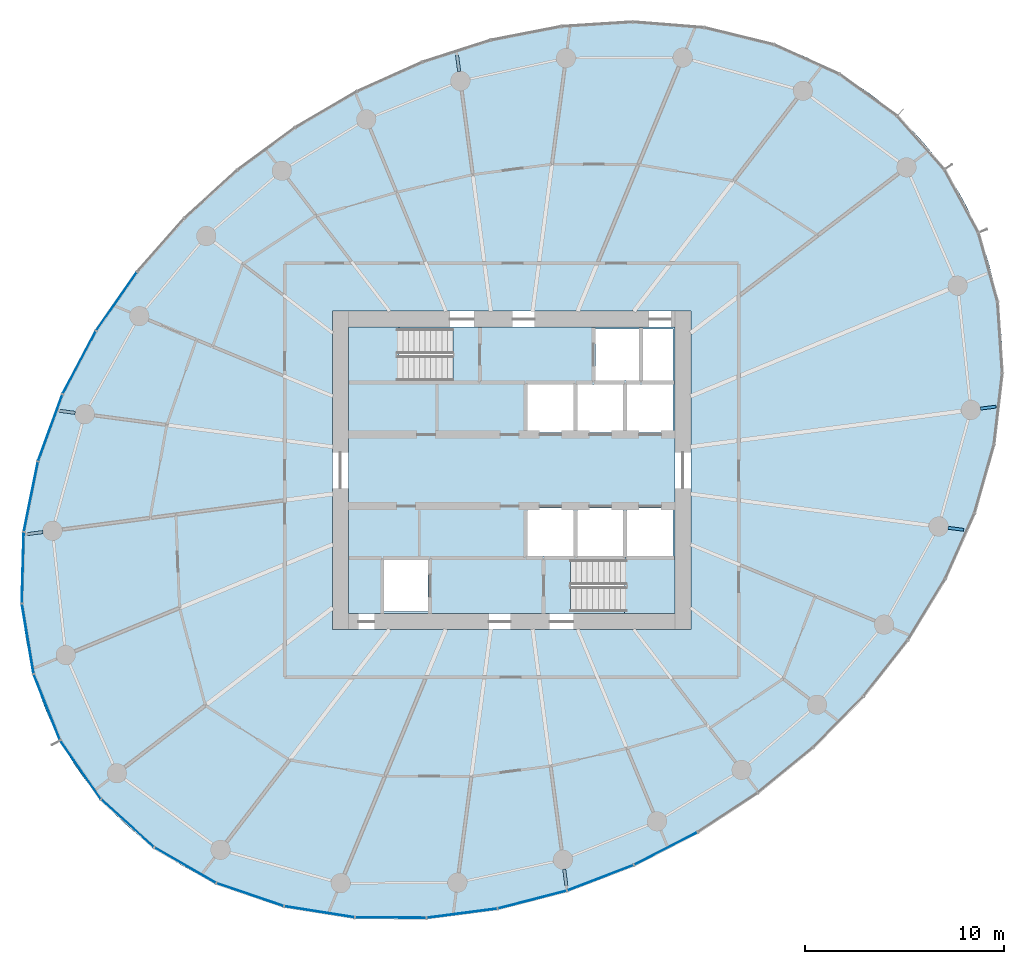
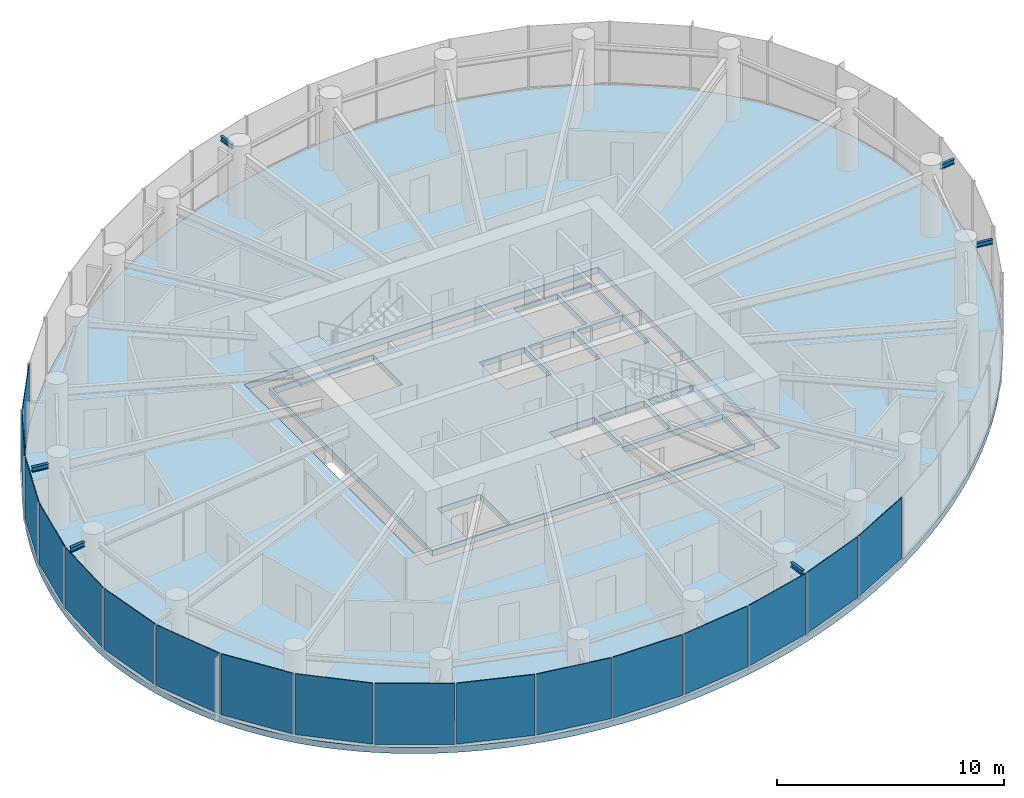
# One storey, part 7 of 15: 17 plates, 6 beams, 4 slabs, 5 elements without a shape of their own.
"""IFC4 building model written with IfcOpenShell, lengths in metres."""

from ifc_helpers import new_model, si_unit, direction, frame, origin, origin_2d, place, context, subcontext, project, spatial, line, indexed_curve, rectangle, i_section, outline, extrude, source, transform, mapped, material, layer, layer_set, material_profile, profile_set, type_object, element, aggregate, save


model = new_model("IFC4")

# Units and contexts
model_context = context("Model", 3, precision=1e-05, world=origin(), true_north=direction((0.0, 1.0)))
body_context = subcontext(model_context, "Body", "Model", "MODEL_VIEW")
ifc_project = project(units=[si_unit("LENGTHUNIT", "METRE"), si_unit("AREAUNIT", "SQUARE_METRE"), si_unit("VOLUMEUNIT", "CUBIC_METRE"), si_unit("PLANEANGLEUNIT", "RADIAN"), si_unit("MASSUNIT", "GRAM", prefix="KILO")], contexts=[model_context])

# Site, building, storey
site_placement = place(None, origin())
site = spatial("IfcSite", under=ifc_project, at=site_placement, CompositionType="ELEMENT")
building_placement = place(site_placement, origin())
building = spatial("IfcBuilding", under=site, at=building_placement, Name="Spindrift Exchange Tower", CompositionType="ELEMENT")
storey_placement = place(building_placement, frame((0.0, 0.0, 176.0)))
storey = spatial("IfcBuildingStorey", under=building, at=storey_placement, Name="L42", CompositionType="ELEMENT", Elevation=176.0)

# Beams
ifc_material_1 = material(Name="Steel Grade 300", Category="steel")
ifc_material_profile = material_profile(ifc_material_1, i_section(OverallWidth=0.14599609375, OverallDepth=0.251953125, WebThickness=0.006103515625, FlangeThickness=0.008544921875, FilletRadius=0.011962890625, at=origin_2d()), Name="250UB31.4")
ifc_profile_set = profile_set([ifc_material_profile], Name="Steel Grade 300")
beam_type = type_object("IfcBeamType", Name="Cantilever Beam 250UB31.4 Steel Grade 300", PredefinedType="BEAM", material=ifc_profile_set)
shared_shape_1 = source(origin(), body_context, "Body", "SweptSolid", [
    extrude(i_section(OverallWidth=0.14599609375, OverallDepth=0.251953125, WebThickness=0.006103515625, FlangeThickness=0.008544921875, FilletRadius=0.011962890625, at=origin_2d()), origin(), (0.0, 0.0, 1.0), 0.78466796875),
])
for number, where, z_axis, x_axis, name in (
    (1, (75.537841796875, 51.098876953125, 3.27392578125), (0.991468055404, 0.130349894953, 0.0), (-0.130349894953, 0.991468055404, 0.0), "L42 cantilever beam R01T"),
    (2, (28.462158203125, 44.901123046875, 3.27392578125), (-0.991468055404, -0.130349894953, 0.0), (0.130349894953, -0.991468055404, 0.0), "L42 cantilever beam R13T"),
):
    element("IfcBeam", number, at=place(storey_placement, frame(where, z_axis=z_axis, x_axis=x_axis)), inside=storey, type_object=beam_type, Name=name, PredefinedType="BEAM", context=body_context, shape_type="MappedRepresentation", body=[
        mapped(shared_shape_1, transform((0.0, 0.0, 0.0), scale=1.0)),
    ])
shared_shape_2 = source(origin(), body_context, "Body", "SweptSolid", [
    extrude(i_section(OverallWidth=0.14599609375, OverallDepth=0.251953125, WebThickness=0.006103515625, FlangeThickness=0.008544921875, FilletRadius=0.011962890625, at=origin_2d()), origin(), (0.0, 0.0, 1.0), 0.84228515625),
])
for number, where, z_axis, x_axis, name in (
    (3, (49.36328125, 68.027099609375, 3.27392578125), (-0.130417027817, 0.991459227026, 0.0), (-0.991459227026, -0.130417027817, 0.0), "L42 cantilever beam R07T"),
    (4, (54.63671875, 27.972900390625, 3.27392578125), (0.130417027817, -0.991459227026, 0.0), (0.991459227026, 0.130417027817, 0.0), "L42 cantilever beam R19T"),
):
    element("IfcBeam", number, at=place(storey_placement, frame(where, z_axis=z_axis, x_axis=x_axis)), inside=storey, type_object=beam_type, Name=name, PredefinedType="BEAM", context=body_context, shape_type="MappedRepresentation", body=[
        mapped(shared_shape_2, transform((0.0, 0.0, 0.0), scale=1.0)),
    ])
shared_shape_3 = source(origin(), body_context, "Body", "SweptSolid", [
    extrude(i_section(OverallWidth=0.14599609375, OverallDepth=0.251953125, WebThickness=0.006103515625, FlangeThickness=0.008544921875, FilletRadius=0.011962890625, at=origin_2d()), origin(), (0.0, 0.0, 1.0), 0.7890625),
])
for number, where, z_axis, x_axis, name in (
    (5, (30.0830078125, 50.885498046875, 3.27392578125), (-0.99147745178, 0.130278404244, 0.0), (-0.130278404244, -0.99147745178, 0.0), "L42 cantilever beam R12T"),
    (6, (73.9169921875, 45.114501953125, 3.27392578125), (0.99147745178, -0.130278404244, 0.0), (0.130278404244, 0.99147745178, 0.0), "L42 cantilever beam R24T"),
):
    element("IfcBeam", number, at=place(storey_placement, frame(where, z_axis=z_axis, x_axis=x_axis)), inside=storey, type_object=beam_type, Name=name, PredefinedType="BEAM", context=body_context, shape_type="MappedRepresentation", body=[
        mapped(shared_shape_3, transform((0.0, 0.0, 0.0), scale=1.0)),
    ])

# Slabs
ifc_material_2 = material(Name="Concrete 40 MPa", Category="concrete")
ifc_layer_1 = layer(ifc_material_2, 0.320068359375)
ifc_layer_set_1 = layer_set([ifc_layer_1], Name="RC Floor Slab 320 Concrete 40 MPa")
slab_type_1 = type_object("IfcSlabType", Name="RC Floor Slab 320 Concrete 40 MPa", PredefinedType="FLOOR", material=ifc_layer_set_1)
slab_1_placement = place(storey_placement, frame((0.0, 0.0, -0.320068359375)))
element("IfcSlab", 7, at=slab_1_placement, inside=storey, type_object=slab_type_1, Name="Floor slab L42", PredefinedType="FLOOR", context=body_context, shape_type="SweptSolid", body=[
    extrude(outline(indexed_curve([(73.730224609375, 63.10009765625), (73.49169921875, 63.433837890625), (73.244384765625, 63.76123046875), (72.989013671875, 64.08203125), (72.724853515625, 64.396240234375), (72.452880859375, 64.703369140625), (72.173095703125, 65.00341796875), (71.885498046875, 65.2958984375), (71.590576171875, 65.581298828125), (71.288330078125, 65.858642578125), (70.979248046875, 66.12841796875), (70.66357421875, 66.390380859375), (70.34130859375, 66.644287109375), (70.0126953125, 66.890380859375), (69.33837890625, 67.35791015625), (68.642578125, 67.79248046875), (67.927001953125, 68.19384765625), (67.5625, 68.382080078125), (66.821044921875, 68.733642578125), (66.444580078125, 68.89697265625), (65.681884765625, 69.19921875), (64.906982421875, 69.468994140625), (64.515380859375, 69.591796875), (63.725341796875, 69.8134765625), (62.92724609375, 70.00390625), (62.525634765625, 70.087646484375), (61.718017578125, 70.232421875), (61.312255859375, 70.29345703125), (60.497802734375, 70.393798828125), (60.089599609375, 70.433349609375), (59.27099609375, 70.490966796875), (58.861083984375, 70.50927734375), (58.040771484375, 70.52587890625), (57.630615234375, 70.52392578125), (56.810302734375, 70.500732421875), (56.400390625, 70.4794921875), (55.582275390625, 70.418212890625), (55.173828125, 70.378173828125), (54.359130859375, 70.280029296875), (53.5478515625, 70.158203125), (53.143310546875, 70.088623046875), (52.739990234375, 70.013427734375), (51.936767578125, 69.845947265625), (51.138427734375, 69.656494140625), (50.7412109375, 69.5537109375), (50.345458984375, 69.445556640625), (49.558349609375, 69.213623046875), (49.167236328125, 69.08984375), (48.389892578125, 68.827392578125), (47.619384765625, 68.544921875), (47.23681640625, 68.396484375), (46.856201171875, 68.243408203125), (46.10107421875, 67.922607421875), (45.35400390625, 67.583251953125), (44.9833984375, 67.406494140625), (44.615234375, 67.2255859375), (43.8857421875, 66.85009765625), (42.808837890625, 66.25390625), (42.103271484375, 65.835205078125), (41.40771484375, 65.399658203125), (40.384521484375, 64.715576171875), (39.38671875, 63.9951171875), (38.73583984375, 63.495361328125), (38.097412109375, 62.97998046875), (37.1630859375, 62.1787109375), (36.8583984375, 61.904052734375), (36.2587890625, 61.343994140625), (35.673095703125, 60.769287109375), (35.385498046875, 60.4765625), (35.1015625, 60.180419921875), (34.545166015625, 59.577392578125), (34.00390625, 58.96044921875), (33.7392578125, 58.64697265625), (33.22216796875, 58.010009765625), (32.9697265625, 57.686279296875), (32.7216796875, 57.359619140625), (32.238525390625, 56.6962890625), (32.003662109375, 56.360107421875), (31.547607421875, 55.677734375), (31.110595703125, 54.9833984375), (30.8994140625, 54.631591796875), (30.491943359375, 53.919189453125), (30.2958984375, 53.558837890625), (29.919921875, 52.82958984375), (29.739990234375, 52.460693359375), (29.397216796875, 51.71533203125), (29.234375, 51.338623046875), (28.926513671875, 50.578125), (28.78173828125, 50.194091796875), (28.643310546875, 49.80810546875), (28.385498046875, 49.029052734375), (28.266357421875, 48.636474609375), (28.048583984375, 47.84521484375), (27.8583984375, 47.047119140625), (27.7744140625, 46.6455078125), (27.62841796875, 45.838134765625), (27.566650390625, 45.432373046875), (27.466796875, 44.617919921875), (27.428955078125, 44.20947265625), (27.377685546875, 43.390380859375), (27.360107421875, 42.5703125), (27.37744140625, 41.75), (27.3994140625, 41.340087890625), (27.470458984375, 40.522705078125), (27.51953125, 40.115478515625), (27.646240234375, 39.3046875), (27.810791015625, 38.5009765625), (28.013671875, 37.705810546875), (28.129638671875, 37.3125), (28.25537109375, 36.921875), (28.390625, 36.534423828125), (28.535888671875, 36.150634765625), (28.690673828125, 35.770751953125), (28.85498046875, 35.394775390625), (29.029052734375, 35.023193359375), (29.21240234375, 34.65625), (29.405517578125, 34.294189453125), (29.60791015625, 33.9375), (29.8193359375, 33.5859375), (30.0400390625, 33.239990234375), (30.269775390625, 32.89990234375), (30.50830078125, 32.566162109375), (30.755615234375, 32.23876953125), (31.010986328125, 31.91796875), (31.275146484375, 31.603759765625), (31.547119140625, 31.296630859375), (31.826904296875, 30.99658203125), (32.114501953125, 30.7041015625), (32.409423828125, 30.418701171875), (32.711669921875, 30.141357421875), (33.020751953125, 29.87158203125), (33.33642578125, 29.609619140625), (33.65869140625, 29.355712890625), (33.9873046875, 29.109619140625), (34.66162109375, 28.64208984375), (35.357421875, 28.20751953125), (36.072998046875, 27.80615234375), (36.4375, 27.617919921875), (37.178955078125, 27.266357421875), (37.555419921875, 27.10302734375), (38.318115234375, 26.80078125), (39.093017578125, 26.531005859375), (39.484619140625, 26.408203125), (40.274658203125, 26.1865234375), (41.07275390625, 25.99609375), (41.474365234375, 25.912353515625), (42.281982421875, 25.767578125), (42.687744140625, 25.70654296875), (43.502197265625, 25.606201171875), (43.910400390625, 25.566650390625), (44.72900390625, 25.509033203125), (45.138916015625, 25.49072265625), (45.959228515625, 25.47412109375), (46.369384765625, 25.47607421875), (47.189697265625, 25.499267578125), (47.599609375, 25.5205078125), (48.417724609375, 25.581787109375), (48.826171875, 25.621826171875), (49.640869140625, 25.719970703125), (50.4521484375, 25.841796875), (50.856689453125, 25.911376953125), (51.260009765625, 25.986572265625), (52.063232421875, 26.154052734375), (52.861572265625, 26.343505859375), (53.2587890625, 26.4462890625), (53.654541015625, 26.554443359375), (54.441650390625, 26.786376953125), (54.832763671875, 26.91015625), (55.610107421875, 27.172607421875), (56.380615234375, 27.455078125), (56.76318359375, 27.603515625), (57.143798828125, 27.756591796875), (57.89892578125, 28.077392578125), (58.64599609375, 28.416748046875), (59.0166015625, 28.593505859375), (59.384765625, 28.7744140625), (60.1142578125, 29.14990234375), (61.191162109375, 29.74609375), (61.896728515625, 30.164794921875), (62.59228515625, 30.600341796875), (63.615478515625, 31.284423828125), (64.61328125, 32.0048828125), (65.26416015625, 32.504638671875), (65.902587890625, 33.02001953125), (66.8369140625, 33.8212890625), (67.1416015625, 34.095947265625), (67.7412109375, 34.656005859375), (68.326904296875, 35.230712890625), (68.614501953125, 35.5234375), (68.8984375, 35.819580078125), (69.454833984375, 36.422607421875), (69.99609375, 37.03955078125), (70.2607421875, 37.35302734375), (70.77783203125, 37.989990234375), (71.0302734375, 38.313720703125), (71.2783203125, 38.640380859375), (71.761474609375, 39.3037109375), (71.996337890625, 39.639892578125), (72.452392578125, 40.322265625), (72.889404296875, 41.0166015625), (73.1005859375, 41.368408203125), (73.508056640625, 42.080810546875), (73.7041015625, 42.441162109375), (74.080078125, 43.17041015625), (74.260009765625, 43.539306640625), (74.602783203125, 44.28466796875), (74.765625, 44.661376953125), (75.073486328125, 45.421875), (75.21826171875, 45.805908203125), (75.356689453125, 46.19189453125), (75.614501953125, 46.970947265625), (75.733642578125, 47.363525390625), (75.951416015625, 48.15478515625), (76.1416015625, 48.952880859375), (76.2255859375, 49.3544921875), (76.37158203125, 50.161865234375), (76.433349609375, 50.567626953125), (76.533203125, 51.382080078125), (76.571044921875, 51.79052734375), (76.622314453125, 52.609619140625), (76.639892578125, 53.4296875), (76.62255859375, 54.25), (76.6005859375, 54.659912109375), (76.529541015625, 55.477294921875), (76.48046875, 55.884521484375), (76.353759765625, 56.6953125), (76.189208984375, 57.4990234375), (75.986328125, 58.294189453125), (75.870361328125, 58.6875), (75.74462890625, 59.078125), (75.609375, 59.465576171875), (75.464111328125, 59.849365234375), (75.309326171875, 60.229248046875), (75.14501953125, 60.605224609375), (74.970947265625, 60.976806640625), (74.78759765625, 61.34375), (74.594482421875, 61.705810546875), (74.39208984375, 62.0625), (74.1806640625, 62.4140625), (73.9599609375, 62.760009765625)], segments=[line(1, 2, 3, 4, 5, 6, 7, 8, 9, 10, 11, 12, 13, 14, 15, 16, 17, 18, 19, 20, 21, 22, 23, 24, 25, 26, 27, 28, 29, 30, 31, 32, 33, 34, 35, 36, 37, 38, 39, 40, 41, 42, 43, 44, 45, 46, 47, 48, 49, 50, 51, 52, 53, 54, 55, 56, 57, 58, 59, 60, 61, 62, 63, 64, 65, 66, 67, 68, 69, 70, 71, 72, 73, 74, 75, 76, 77, 78, 79, 80, 81, 82, 83, 84, 85, 86, 87, 88, 89, 90, 91, 92, 93, 94, 95, 96, 97, 98, 99, 100, 101, 102, 103, 104, 105, 106, 107, 108, 109, 110, 111, 112, 113, 114, 115, 116, 117, 118, 119, 120, 121, 122, 123, 124, 125, 126, 127, 128, 129, 130, 131, 132, 133, 134, 135, 136, 137, 138, 139, 140, 141, 142, 143, 144, 145, 146, 147, 148, 149, 150, 151, 152, 153, 154, 155, 156, 157, 158, 159, 160, 161, 162, 163, 164, 165, 166, 167, 168, 169, 170, 171, 172, 173, 174, 175, 176, 177, 178, 179, 180, 181, 182, 183, 184, 185, 186, 187, 188, 189, 190, 191, 192, 193, 194, 195, 196, 197, 198, 199, 200, 201, 202, 203, 204, 205, 206, 207, 208, 209, 210, 211, 212, 213, 214, 215, 216, 217, 218, 219, 220, 221, 222, 223, 224, 225, 226, 227, 228, 229, 230, 231, 232, 233, 234, 235, 236, 237, 238, 239, 240, 1)], self_intersect=False), holes=[indexed_curve([(43.0, 40.0), (61.0, 40.0), (61.0, 56.0), (43.0, 56.0)], segments=[line(1, 2, 3, 4, 1)], self_intersect=False)]), origin(), (0.0, 0.0, 1.0), 0.320068359375),
])
ifc_material_3 = material(Name="Concrete 50 MPa", Category="concrete")
ifc_layer_2 = layer(ifc_material_3, 0.320068359375)
ifc_layer_set_2 = layer_set([ifc_layer_2], Name="SL-CORE-FLOOR-320")
slab_type_2 = type_object("IfcSlabType", Name="SL-CORE-FLOOR-320", PredefinedType="FLOOR", material=ifc_layer_set_2)
slab_2_placement = place(storey_placement, frame((0.0, 0.0, -0.320068359375)))
element("IfcSlab", 8, at=slab_2_placement, inside=storey, type_object=slab_type_2, Name="L42 Core floor slab", PredefinedType="FLOOR", context=body_context, shape_type="SweptSolid", body=[
    extrude(outline(indexed_curve([(43.800048828125, 40.800048828125), (43.800048828125, 55.199951171875), (60.199951171875, 55.199951171875), (60.199951171875, 40.800048828125)], segments=[line(1, 2, 3, 4, 1)], self_intersect=False), holes=[indexed_curve([(45.60009765625, 43.5), (45.60009765625, 40.89990234375), (47.800048828125, 40.89990234375), (47.800048828125, 43.5)], segments=[line(1, 2, 3, 4, 1)], self_intersect=False), indexed_curve([(52.800048828125, 46.10009765625), (52.800048828125, 43.699951171875), (55.10009765625, 43.699951171875), (55.10009765625, 46.10009765625)], segments=[line(1, 2, 3, 4, 1)], self_intersect=False), indexed_curve([(55.300048828125, 46.10009765625), (55.300048828125, 43.699951171875), (57.60009765625, 43.699951171875), (57.60009765625, 46.10009765625)], segments=[line(1, 2, 3, 4, 1)], self_intersect=False), indexed_curve([(55.10009765625, 52.300048828125), (52.800048828125, 52.300048828125), (52.800048828125, 49.89990234375), (55.10009765625, 49.89990234375)], segments=[line(1, 2, 3, 4, 1)], self_intersect=False), indexed_curve([(57.60009765625, 52.300048828125), (55.300048828125, 52.300048828125), (55.300048828125, 49.89990234375), (57.60009765625, 49.89990234375)], segments=[line(1, 2, 3, 4, 1)], self_intersect=False), indexed_curve([(43.906005859375, 52.506103515625), (49.0439453125, 52.506103515625), (49.0439453125, 55.093994140625), (43.906005859375, 55.093994140625)], segments=[line(1, 2, 3, 4, 1)], self_intersect=False), indexed_curve([(60.093994140625, 40.906005859375), (60.093994140625, 43.493896484375), (54.9560546875, 43.493896484375), (54.9560546875, 40.906005859375)], segments=[line(1, 2, 3, 4, 1)], self_intersect=False), indexed_curve([(60.10009765625, 46.10009765625), (57.800048828125, 46.10009765625), (57.800048828125, 43.699951171875), (60.10009765625, 43.699951171875)], segments=[line(1, 2, 3, 4, 1)], self_intersect=False), indexed_curve([(57.800048828125, 52.300048828125), (57.800048828125, 49.89990234375), (60.10009765625, 49.89990234375), (60.10009765625, 52.300048828125)], segments=[line(1, 2, 3, 4, 1)], self_intersect=False), indexed_curve([(58.39990234375, 55.10009765625), (56.199951171875, 55.10009765625), (56.199951171875, 52.5), (58.39990234375, 52.5)], segments=[line(1, 2, 3, 4, 1)], self_intersect=False), indexed_curve([(60.10009765625, 55.10009765625), (58.60009765625, 55.10009765625), (58.60009765625, 52.5), (60.10009765625, 52.5)], segments=[line(1, 2, 3, 4, 1)], self_intersect=False)]), origin(), (0.0, 0.0, 1.0), 0.320068359375),
])

# Stair, slab
stair_type = type_object("IfcStairType", Name="ST-1250-R177", PredefinedType="HALF_TURN_STAIR", material=ifc_material_3)
stair_1_placement = place(storey_placement, origin())
stair_1 = element("IfcStair", 9, at=stair_1_placement, inside=storey, type_object=stair_type, Name="L42 Exit stair ST1", PredefinedType="HALF_TURN_STAIR")
ifc_layer_3 = layer(ifc_material_3, 0.199951171875)
ifc_layer_set_3 = layer_set([ifc_layer_3], Name="SL-LANDING")
slab_type_3 = type_object("IfcSlabType", Name="SL-LANDING", PredefinedType="LANDING", material=ifc_layer_set_3)
slab_3_placement = place(storey_placement, frame((0.0, 0.0, 1.75)))
slab_3 = element("IfcSlab", 10, at=slab_3_placement, type_object=slab_type_3, Name="ST1 landing 1", PredefinedType="LANDING", context=body_context, shape_type="SweptSolid", body=[
    extrude(outline(indexed_curve([(46.330078125, 52.39990234375), (43.800048828125, 52.39990234375), (43.800048828125, 55.199951171875), (46.330078125, 55.199951171875)], segments=[line(1, 2, 3, 4, 1)], self_intersect=False)), origin(), (0.0, 0.0, 1.0), 0.199951171875),
])
aggregate(stair_1, [slab_3])

stair_2_placement = place(storey_placement, origin())
stair_2 = element("IfcStair", 11, at=stair_2_placement, inside=storey, type_object=stair_type, Name="L42 Exit stair ST2", PredefinedType="HALF_TURN_STAIR")
slab_4_placement = place(storey_placement, frame((0.0, 0.0, 1.75)))
slab_4 = element("IfcSlab", 12, at=slab_4_placement, type_object=slab_type_3, Name="ST2 landing 1", PredefinedType="LANDING", context=body_context, shape_type="SweptSolid", body=[
    extrude(outline(indexed_curve([(57.669921875, 43.60009765625), (60.199951171875, 43.60009765625), (60.199951171875, 40.800048828125), (57.669921875, 40.800048828125)], segments=[line(1, 2, 3, 4, 1)], self_intersect=False)), origin(), (0.0, 0.0, 1.0), 0.199951171875),
])
aggregate(stair_2, [slab_4])

# Curtain wall, plates
ifc_material_4 = material(Name="Fritted laminated glass with bronze frame", Category="glass")
ifc_layer_4 = layer(ifc_material_4, 0.179931640625)
ifc_layer_set_4 = layer_set([ifc_layer_4], Name="ZONE 3 BRONZE FRITTED WALL")
curtain_wall_type = type_object("IfcCurtainWallType", Name="ZONE 3 BRONZE FRITTED WALL", PredefinedType="NOTDEFINED", material=ifc_layer_set_4)
curtain_wall_1_placement = place(storey_placement, origin())
curtain_wall_1 = element("IfcCurtainWall", 13, at=curtain_wall_1_placement, inside=storey, type_object=curtain_wall_type, Name="L42 Zone 3 Bronze Fritted Wall run 5", PredefinedType="NOTDEFINED")
ifc_material_5 = material(Name="Bronze fritted laminated glass, open frit", Category="glass")
ifc_layer_5 = layer(ifc_material_5, 0.031982421875)
ifc_layer_set_5 = layer_set([ifc_layer_5], Name="ZONE 3 BRONZE FRITTED WALL PANEL OPEN FRIT 600")
plate_type_1 = type_object("IfcPlateType", Name="ZONE 3 BRONZE FRITTED WALL PANEL OPEN FRIT 600", PredefinedType="CURTAIN_PANEL", material=ifc_layer_set_5)
shared_shape_4 = source(origin(), body_context, "Body", "SweptSolid", [
    extrude(rectangle(XDim=3.530517578125, YDim=0.031982421875, at=origin_2d()), origin(), (0.0, 0.0, 1.0), 3.27001953125),
])
plate_1_placement = place(storey_placement, frame((53.032470703125, 26.44189453125, 0.1298828125), z_axis=(0.0, 0.0, 1.0), x_axis=(0.968298664298, 0.249795309643, 0.0)))
plate_1 = element("IfcPlate", 14, at=plate_1_placement, type_object=plate_type_1, Name="L42 panel CW-3.28", PredefinedType="CURTAIN_PANEL", context=body_context, shape_type="MappedRepresentation", body=[
    mapped(shared_shape_4, transform((0.0, 0.0, 0.0), scale=1.0)),
])
shared_shape_5 = source(origin(), body_context, "Body", "SweptSolid", [
    extrude(rectangle(XDim=3.53076171875, YDim=0.031982421875, at=origin_2d()), origin(), (0.0, 0.0, 1.0), 3.27001953125),
])
plate_2_placement = place(storey_placement, frame((56.456298828125, 27.537353515625, 0.1298828125), z_axis=(0.0, 0.0, 1.0), x_axis=(0.93346967375, 0.358656337166, 0.0)))
plate_2 = element("IfcPlate", 15, at=plate_2_placement, type_object=plate_type_1, Name="L42 panel CW-3.29", PredefinedType="CURTAIN_PANEL", context=body_context, shape_type="MappedRepresentation", body=[
    mapped(shared_shape_5, transform((0.0, 0.0, 0.0), scale=1.0)),
])
plate_3_placement = place(storey_placement, frame((59.737548828125, 29.007080078125, 0.1298828125), z_axis=(0.0, 0.0, 1.0), x_axis=(0.889077069424, 0.457757539123, 0.0)))
plate_3 = element("IfcPlate", 16, at=plate_3_placement, type_object=plate_type_1, Name="L42 panel CW-3.30", PredefinedType="CURTAIN_PANEL", context=body_context, shape_type="MappedRepresentation", body=[
    mapped(shared_shape_5, transform((0.0, 0.0, 0.0), scale=1.0)),
])

curtain_wall_2_placement = place(storey_placement, origin())
curtain_wall_2 = element("IfcCurtainWall", 17, at=curtain_wall_2_placement, inside=storey, type_object=curtain_wall_type, Name="L42 Zone 3 Bronze Fritted Wall run 3", PredefinedType="NOTDEFINED")
ifc_layer_6 = layer(ifc_material_5, 0.031982421875)
ifc_layer_set_6 = layer_set([ifc_layer_6], Name="ZONE 3 BRONZE FRITTED WALL PANEL OPEN FRIT 360")
plate_type_2 = type_object("IfcPlateType", Name="ZONE 3 BRONZE FRITTED WALL PANEL OPEN FRIT 360", PredefinedType="CURTAIN_PANEL", material=ifc_layer_set_6)
shared_shape_6 = source(origin(), body_context, "Body", "SweptSolid", [
    extrude(rectangle(XDim=3.530517578125, YDim=0.031982421875, at=origin_2d()), origin(), (0.0, 0.0, 1.0), 3.27001953125),
])
plate_4_placement = place(storey_placement, frame((32.155517578125, 56.48583984375, 0.1298828125), z_axis=(0.0, 0.0, 1.0), x_axis=(-0.571790823965, -0.820399447604, 0.0)))
plate_4 = element("IfcPlate", 18, at=plate_4_placement, type_object=plate_type_2, Name="L42 panel CW-3.14", PredefinedType="CURTAIN_PANEL", context=body_context, shape_type="MappedRepresentation", body=[
    mapped(shared_shape_6, transform((0.0, 0.0, 0.0), scale=1.0)),
])
shared_shape_7 = source(origin(), body_context, "Body", "SweptSolid", [
    extrude(rectangle(XDim=3.530029296875, YDim=0.031982421875, at=origin_2d()), origin(), (0.0, 0.0, 1.0), 3.27001953125),
])
plate_5_placement = place(storey_placement, frame((30.2861328125, 53.4169921875, 0.1298828125), z_axis=(0.0, 0.0, 1.0), x_axis=(-0.466738609196, -0.884395313582, 0.0)))
plate_5 = element("IfcPlate", 19, at=plate_5_placement, type_object=plate_type_1, Name="L42 panel CW-3.15", PredefinedType="CURTAIN_PANEL", context=body_context, shape_type="MappedRepresentation", body=[
    mapped(shared_shape_7, transform((0.0, 0.0, 0.0), scale=1.0)),
])
shared_shape_8 = source(origin(), body_context, "Body", "SweptSolid", [
    extrude(rectangle(XDim=3.529541015625, YDim=0.031982421875, at=origin_2d()), origin(), (0.0, 0.0, 1.0), 3.27001953125),
])
plate_6_placement = place(storey_placement, frame((28.828369140625, 50.134765625, 0.1298828125), z_axis=(0.0, 0.0, 1.0), x_axis=(-0.343161381521, -0.939276458894, 0.0)))
plate_6 = element("IfcPlate", 20, at=plate_6_placement, type_object=plate_type_1, Name="L42 panel CW-3.16", PredefinedType="CURTAIN_PANEL", context=body_context, shape_type="MappedRepresentation", body=[
    mapped(shared_shape_8, transform((0.0, 0.0, 0.0), scale=1.0)),
])
shared_shape_9 = source(origin(), body_context, "Body", "SweptSolid", [
    extrude(rectangle(XDim=3.52880859375, YDim=0.031982421875, at=origin_2d()), origin(), (0.0, 0.0, 1.0), 3.27001953125),
])
plate_7_placement = place(storey_placement, frame((27.855224609375, 46.680419921875, 0.1298828125), z_axis=(0.0, 0.0, 1.0), x_axis=(-0.197570083902, -0.980288764572, 0.0)))
plate_7 = element("IfcPlate", 21, at=plate_7_placement, type_object=plate_type_1, Name="L42 panel CW-3.17", PredefinedType="CURTAIN_PANEL", context=body_context, shape_type="MappedRepresentation", body=[
    mapped(shared_shape_9, transform((0.0, 0.0, 0.0), scale=1.0)),
])
shared_shape_10 = source(origin(), body_context, "Body", "SweptSolid", [
    extrude(rectangle(XDim=3.527587890625, YDim=0.031982421875, at=origin_2d()), origin(), (0.0, 0.0, 1.0), 3.27001953125),
])
plate_8_placement = place(storey_placement, frame((27.4501953125, 43.118408203125, 0.1298828125), z_axis=(0.0, 0.0, 1.0), x_axis=(-0.02754653728, -0.99962052214, 0.0)))
plate_8 = element("IfcPlate", 22, at=plate_8_placement, type_object=plate_type_1, Name="L42 panel CW-3.18", PredefinedType="CURTAIN_PANEL", context=body_context, shape_type="MappedRepresentation", body=[
    mapped(shared_shape_10, transform((0.0, 0.0, 0.0), scale=1.0)),
])
aggregate(curtain_wall_2, [plate_4, plate_5, plate_6, plate_7, plate_8])

curtain_wall_3_placement = place(storey_placement, origin())
curtain_wall_3 = element("IfcCurtainWall", 23, at=curtain_wall_3_placement, inside=storey, type_object=curtain_wall_type, Name="L42 Zone 3 Bronze Fritted Wall run 4", PredefinedType="NOTDEFINED")
plate_9_placement = place(storey_placement, frame((38.86328125, 26.69384765625, 0.1298828125), z_axis=(0.0, 0.0, 1.0), x_axis=(0.946458984013, -0.322824087673, 0.0)))
plate_9 = element("IfcPlate", 24, at=plate_9_placement, type_object=plate_type_1, Name="L42 panel CW-3.24", PredefinedType="CURTAIN_PANEL", context=body_context, shape_type="MappedRepresentation", body=[
    mapped(shared_shape_10, transform((0.0, 0.0, 0.0), scale=1.0)),
])
shared_shape_11 = source(origin(), body_context, "Body", "SweptSolid", [
    extrude(rectangle(XDim=3.526123046875, YDim=0.031982421875, at=origin_2d()), origin(), (0.0, 0.0, 1.0), 3.27001953125),
])
plate_10_placement = place(storey_placement, frame((27.69775390625, 39.546875, 0.1298828125), z_axis=(0.0, 0.0, 1.0), x_axis=(0.165255890745, -0.986250723992, 0.0)))
plate_10 = element("IfcPlate", 25, at=plate_10_placement, type_object=plate_type_1, Name="L42 panel CW-3.19", PredefinedType="CURTAIN_PANEL", context=body_context, shape_type="MappedRepresentation", body=[
    mapped(shared_shape_11, transform((0.0, 0.0, 0.0), scale=1.0)),
])
plate_11_placement = place(storey_placement, frame((35.602294921875, 28.17138671875, 0.1298828125), z_axis=(0.0, 0.0, 1.0), x_axis=(0.866715726567, -0.498802415112, 0.0)))
plate_11 = element("IfcPlate", 26, at=plate_11_placement, type_object=plate_type_1, Name="L42 panel CW-3.23", PredefinedType="CURTAIN_PANEL", context=body_context, shape_type="MappedRepresentation", body=[
    mapped(shared_shape_11, transform((0.0, 0.0, 0.0), scale=1.0)),
])
shared_shape_12 = source(origin(), body_context, "Body", "SweptSolid", [
    extrude(rectangle(XDim=3.525146484375, YDim=0.031982421875, at=origin_2d()), origin(), (0.0, 0.0, 1.0), 3.27001953125),
])
plate_12_placement = place(storey_placement, frame((28.662109375, 36.104248046875, 0.1298828125), z_axis=(0.0, 0.0, 1.0), x_axis=(0.371089090503, -0.928597268416, 0.0)))
plate_12 = element("IfcPlate", 27, at=plate_12_placement, type_object=plate_type_2, Name="L42 panel CW-3.20", PredefinedType="CURTAIN_PANEL", context=body_context, shape_type="MappedRepresentation", body=[
    mapped(shared_shape_12, transform((0.0, 0.0, 0.0), scale=1.0)),
])
shared_shape_13 = source(origin(), body_context, "Body", "SweptSolid", [
    extrude(rectangle(XDim=3.524658203125, YDim=0.031982421875, at=origin_2d()), origin(), (0.0, 0.0, 1.0), 3.27001953125),
])
plate_13_placement = place(storey_placement, frame((30.3544921875, 32.958984375, 0.1298828125), z_axis=(0.0, 0.0, 1.0), x_axis=(0.57065337277, -0.821191042417, 0.0)))
plate_13 = element("IfcPlate", 28, at=plate_13_placement, type_object=plate_type_2, Name="L42 panel CW-3.21", PredefinedType="CURTAIN_PANEL", context=body_context, shape_type="MappedRepresentation", body=[
    mapped(shared_shape_13, transform((0.0, 0.0, 0.0), scale=1.0)),
])
ifc_layer_7 = layer(ifc_material_5, 0.031982421875)
ifc_layer_set_7 = layer_set([ifc_layer_7], Name="ZONE 3 BRONZE FRITTED WALL PANEL OPEN FRIT 480")
plate_type_3 = type_object("IfcPlateType", Name="ZONE 3 BRONZE FRITTED WALL PANEL OPEN FRIT 480", PredefinedType="CURTAIN_PANEL", material=ifc_layer_set_7)
shared_shape_14 = source(origin(), body_context, "Body", "SweptSolid", [
    extrude(rectangle(XDim=3.525146484375, YDim=0.031982421875, at=origin_2d()), origin(), (0.0, 0.0, 1.0), 3.27001953125),
])
plate_14_placement = place(storey_placement, frame((32.7119140625, 30.27587890625, 0.1298828125), z_axis=(0.0, 0.0, 1.0), x_axis=(0.740862039884, -0.671657232418, 0.0)))
plate_14 = element("IfcPlate", 29, at=plate_14_placement, type_object=plate_type_3, Name="L42 panel CW-3.22", PredefinedType="CURTAIN_PANEL", context=body_context, shape_type="MappedRepresentation", body=[
    mapped(shared_shape_14, transform((0.0, 0.0, 0.0), scale=1.0)),
])
aggregate(curtain_wall_3, [plate_10, plate_12, plate_13, plate_14, plate_11, plate_9])

# Plate
shared_shape_15 = source(origin(), body_context, "Body", "SweptSolid", [
    extrude(rectangle(XDim=3.52880859375, YDim=0.031982421875, at=origin_2d()), origin(), (0.0, 0.0, 1.0), 3.27001953125),
])
plate_15_placement = place(storey_placement, frame((42.3427734375, 25.831298828125, 0.1298828125), z_axis=(0.0, 0.0, 1.0), x_axis=(0.987646531845, -0.156698207187, 0.0)))
plate_15 = element("IfcPlate", 30, at=plate_15_placement, type_object=plate_type_2, Name="L42 panel CW-3.25", PredefinedType="CURTAIN_PANEL", context=body_context, shape_type="MappedRepresentation", body=[
    mapped(shared_shape_15, transform((0.0, 0.0, 0.0), scale=1.0)),
])

shared_shape_16 = source(origin(), body_context, "Body", "SweptSolid", [
    extrude(rectangle(XDim=3.529541015625, YDim=0.031982421875, at=origin_2d()), origin(), (0.0, 0.0, 1.0), 3.27001953125),
])
plate_16_placement = place(storey_placement, frame((45.919677734375, 25.53857421875, 0.1298828125), z_axis=(0.0, 0.0, 1.0), x_axis=(0.999982330968, -0.005944556421, 0.0)))
plate_16 = element("IfcPlate", 31, at=plate_16_placement, type_object=plate_type_3, Name="L42 panel CW-3.26", PredefinedType="CURTAIN_PANEL", context=body_context, shape_type="MappedRepresentation", body=[
    mapped(shared_shape_16, transform((0.0, 0.0, 0.0), scale=1.0)),
])

shared_shape_17 = source(origin(), body_context, "Body", "SweptSolid", [
    extrude(rectangle(XDim=3.530029296875, YDim=0.031982421875, at=origin_2d()), origin(), (0.0, 0.0, 1.0), 3.27001953125),
])
plate_17_placement = place(storey_placement, frame((49.50439453125, 25.760009765625, 0.1298828125), z_axis=(0.0, 0.0, 1.0), x_axis=(0.991644390899, 0.129001558128, 0.0)))
plate_17 = element("IfcPlate", 32, at=plate_17_placement, type_object=plate_type_3, Name="L42 panel CW-3.27", PredefinedType="CURTAIN_PANEL", context=body_context, shape_type="MappedRepresentation", body=[
    mapped(shared_shape_17, transform((0.0, 0.0, 0.0), scale=1.0)),
])

aggregate(curtain_wall_1, [plate_15, plate_16, plate_17, plate_1, plate_2, plate_3])

save(model, "model.ifc")
